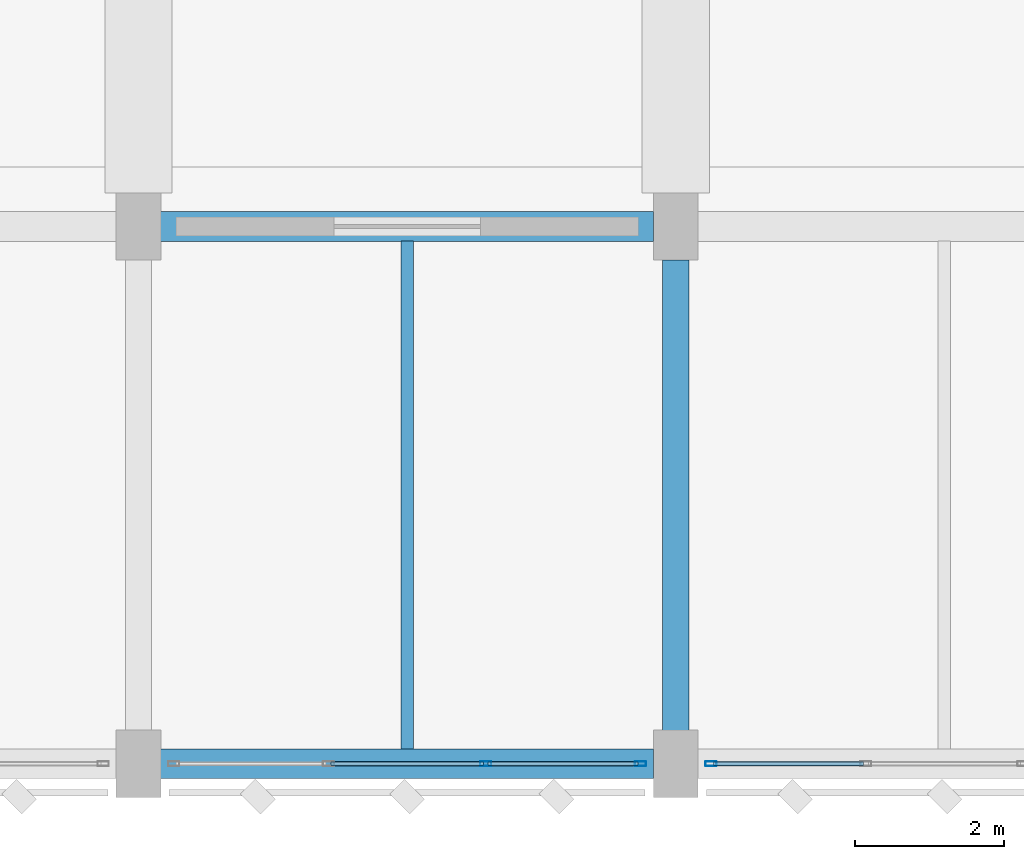
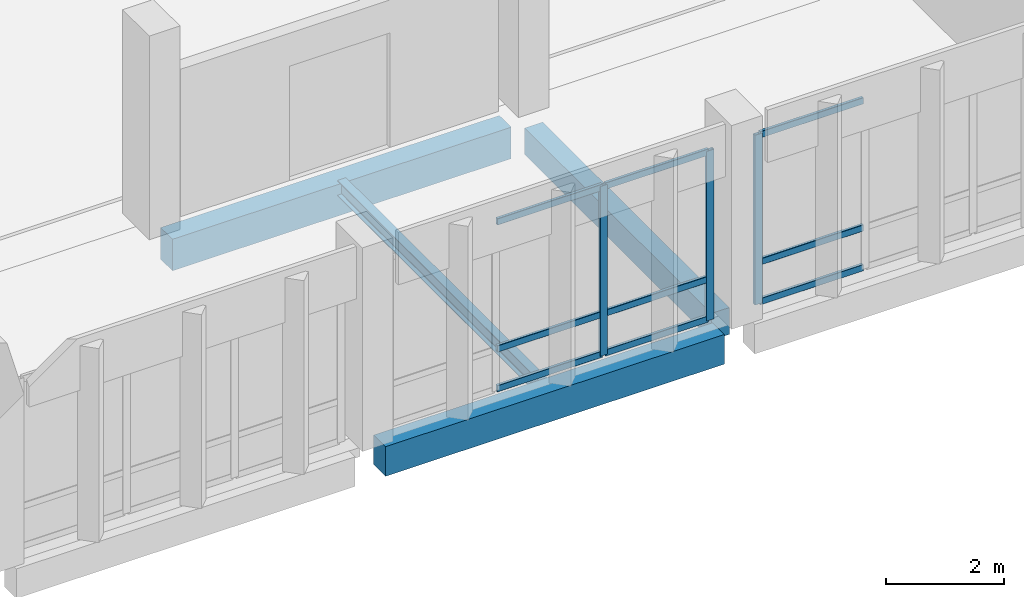
# One storey, part 76 of 158: 12 members, 4 beams, 2 elements without a shape of their own.
"""IFC4 building model written with IfcOpenShell, lengths in metres."""

from ifc_helpers import new_model, si_unit, direction, frame, origin, origin_2d, place, context, subcontext, project, spatial, rectangle, hollow_rectangle, i_section, extrude, material, material_profile, profile_set, type_object, element, aggregate, save


model = new_model("IFC4")

# Units and contexts
model_context = context("Model", 3, precision=1e-05, world=origin(), true_north=direction((0.0, 1.0)))
body_context = subcontext(model_context, "Body", "Model", "MODEL_VIEW")
ifc_project = project(units=[si_unit("LENGTHUNIT", "METRE"), si_unit("AREAUNIT", "SQUARE_METRE"), si_unit("VOLUMEUNIT", "CUBIC_METRE"), si_unit("PLANEANGLEUNIT", "RADIAN"), si_unit("MASSUNIT", "GRAM", prefix="KILO")], contexts=[model_context])

# Site, building, storey
site_placement = place(None, origin())
site = spatial("IfcSite", under=ifc_project, at=site_placement, CompositionType="ELEMENT")
building_placement = place(site_placement, origin())
building = spatial("IfcBuilding", under=site, at=building_placement, Name="Lusvemor Sports Hall", CompositionType="ELEMENT")
storey_placement = place(building_placement, frame((0.0, 0.0, 10.800048828125)))
storey = spatial("IfcBuildingStorey", under=building, at=storey_placement, Name="L02", CompositionType="ELEMENT", Elevation=10.800048828125)

# Beams
ifc_material_1 = material(Name="Concrete C40/50", Category="concrete")
ifc_material_profile_1 = material_profile(ifc_material_1, rectangle(XDim=0.35009765625, YDim=0.550048828125, at=origin_2d()), Name="RC350x550")
ifc_profile_set_1 = profile_set([ifc_material_profile_1], Name="Concrete C40/50")
beam_type_1 = type_object("IfcBeamType", Name="BEAM_RC_550", PredefinedType="BEAM", material=ifc_profile_set_1)
beam_1_placement = place(storey_placement, frame((154.800048828125, 0.446044921875, -0.53515625), z_axis=(0.0, 1.0, 0.0), x_axis=(-1.0, 0.0, 0.0)))
element("IfcBeam", 1, at=beam_1_placement, inside=storey, type_object=beam_type_1, Name="Beam L02 18:A-B", PredefinedType="BEAM", context=body_context, shape_type="SweptSolid", body=[
    extrude(rectangle(XDim=0.35009765625, YDim=0.550048828125, at=origin_2d()), origin(), (0.0, 0.0, 1.0), 6.307861328125),
])
ifc_material_2 = material(Name="Concrete C40/50", Category="concrete")
ifc_material_profile_2 = material_profile(ifc_material_2, rectangle(XDim=0.39990234375, YDim=0.64990234375, at=origin_2d()), Name="RC400x650")
ifc_profile_set_2 = profile_set([ifc_material_profile_2], Name="Concrete C40/50")
beam_type_2 = type_object("IfcBeamType", Name="BEAM_RC_650", PredefinedType="BEAM", material=ifc_profile_set_2)
beam_2_placement = place(storey_placement, frame((147.89599609375, 7.199951171875, -0.675048828125), z_axis=(1.0, 0.0, 0.0), x_axis=(0.0, 1.0, 0.0)))
element("IfcBeam", 2, at=beam_2_placement, inside=storey, type_object=beam_type_2, Name="Beam L02 B:17-18", PredefinedType="BEAM", context=body_context, shape_type="SweptSolid", body=[
    extrude(rectangle(XDim=0.39990234375, YDim=0.64990234375, at=origin_2d()), origin(), (0.0, 0.0, 1.0), 6.60791015625),
])

# Curtain wall, members
ifc_material_3 = material(Name="Thermally broken bronze-anodized aluminium", Category="aluminium")
curtain_wall_type = type_object("IfcCurtainWallType", Name="CW_COURT_C", PredefinedType="NOTDEFINED", material=ifc_material_3)
curtain_wall_1_placement = place(storey_placement, origin())
curtain_wall_1 = element("IfcCurtainWall", 3, at=curtain_wall_1_placement, inside=storey, type_object=curtain_wall_type, Name="Curtain Wall CW-V2S-L02-4", PredefinedType="NOTDEFINED")
ifc_material_4 = material(Name="Thermally broken bronze-anodized aluminium", Category="aluminium")
ifc_material_profile_3 = material_profile(ifc_material_4, hollow_rectangle(XDim=0.06494140625, YDim=0.14990234375, WallThickness=0.00390625, InnerFilletRadius=0.00390625, OuterFilletRadius=0.008056640625, at=origin_2d()), Name="CWMUL150x65x4")
ifc_profile_set_3 = profile_set([ifc_material_profile_3], Name="Thermally broken bronze-anodized aluminium")
member_type_1 = type_object("IfcMemberType", Name="CW_MUL_B", PredefinedType="MULLION", material=ifc_profile_set_3)
member_1_placement = place(storey_placement, frame((154.327392578125, 0.0, 0.0), z_axis=(0.0, 0.0, 1.0), x_axis=(0.0, -1.0, 0.0)))
member_1 = element("IfcMember", 4, at=member_1_placement, type_object=member_type_1, Name="CW03 mullion 1", PredefinedType="MULLION", context=body_context, shape_type="SweptSolid", body=[
    extrude(hollow_rectangle(XDim=0.06494140625, YDim=0.14990234375, WallThickness=0.00390625, InnerFilletRadius=0.00390625, OuterFilletRadius=0.008056640625, at=origin_2d()), origin(), (0.0, 0.0, 1.0), 3.5),
])
member_2_placement = place(storey_placement, frame((152.25341796875, 0.0, 0.0), z_axis=(0.0, 0.0, 1.0), x_axis=(0.0, -1.0, 0.0)))
member_2 = element("IfcMember", 5, at=member_2_placement, type_object=member_type_1, Name="CW03 mullion 2", PredefinedType="MULLION", context=body_context, shape_type="SweptSolid", body=[
    extrude(hollow_rectangle(XDim=0.06494140625, YDim=0.14990234375, WallThickness=0.00390625, InnerFilletRadius=0.00390625, OuterFilletRadius=0.008056640625, at=origin_2d()), origin(), (0.0, 0.0, 1.0), 3.5),
])

# Curtain wall, member
curtain_wall_2_placement = place(storey_placement, origin())
curtain_wall_2 = element("IfcCurtainWall", 6, at=curtain_wall_2_placement, inside=storey, type_object=curtain_wall_type, Name="Curtain Wall CW-V2S-L02-5", PredefinedType="NOTDEFINED")
member_3_placement = place(storey_placement, frame((155.2724609375, 0.0, 0.0), z_axis=(0.0, 0.0, 1.0), x_axis=(0.0, -1.0, 0.0)))
member_3 = element("IfcMember", 7, at=member_3_placement, type_object=member_type_1, Name="CW03 mullion 4", PredefinedType="MULLION", context=body_context, shape_type="SweptSolid", body=[
    extrude(hollow_rectangle(XDim=0.06494140625, YDim=0.14990234375, WallThickness=0.00390625, InnerFilletRadius=0.00390625, OuterFilletRadius=0.008056640625, at=origin_2d()), origin(), (0.0, 0.0, 1.0), 3.5),
])

# Member
ifc_material_5 = material(Name="Thermally broken bronze-anodized aluminium", Category="aluminium")
ifc_material_profile_4 = material_profile(ifc_material_5, hollow_rectangle(XDim=0.06005859375, YDim=0.135009765625, WallThickness=0.00390625, InnerFilletRadius=0.00390625, OuterFilletRadius=0.008056640625, at=origin_2d()), Name="CWTRN135x60x4")
ifc_profile_set_4 = profile_set([ifc_material_profile_4], Name="Thermally broken bronze-anodized aluminium")
member_type_2 = type_object("IfcMemberType", Name="CW_TRN_B", PredefinedType="USERDEFINED", material=ifc_profile_set_4)
member_4_placement = place(storey_placement, frame((154.294921875, 0.0, 0.030029296875), z_axis=(-1.0, 0.0, 0.0), x_axis=(0.0, -1.0, 0.0)))
member_4 = element("IfcMember", 8, at=member_4_placement, type_object=member_type_2, Name="CW03 transom 1.1", ObjectType="TRANSOM", PredefinedType="USERDEFINED", context=body_context, shape_type="SweptSolid", body=[
    extrude(hollow_rectangle(XDim=0.06005859375, YDim=0.135009765625, WallThickness=0.00390625, InnerFilletRadius=0.00390625, OuterFilletRadius=0.008056640625, at=origin_2d()), origin(), (0.0, 0.0, 1.0), 2.009033203125),
])

member_5_placement = place(storey_placement, frame((154.294921875, 0.0, 0.849853515625), z_axis=(-1.0, 0.0, 0.0), x_axis=(0.0, -1.0, 0.0)))
member_5 = element("IfcMember", 9, at=member_5_placement, type_object=member_type_2, Name="CW03 transom 1.2", ObjectType="TRANSOM", PredefinedType="USERDEFINED", context=body_context, shape_type="SweptSolid", body=[
    extrude(hollow_rectangle(XDim=0.06005859375, YDim=0.135009765625, WallThickness=0.00390625, InnerFilletRadius=0.00390625, OuterFilletRadius=0.008056640625, at=origin_2d()), origin(), (0.0, 0.0, 1.0), 2.009033203125),
])

member_6_placement = place(storey_placement, frame((154.294921875, 0.0, 3.469970703125), z_axis=(-1.0, 0.0, 0.0), x_axis=(0.0, -1.0, 0.0)))
member_6 = element("IfcMember", 10, at=member_6_placement, type_object=member_type_2, Name="CW03 transom 1.3", ObjectType="TRANSOM", PredefinedType="USERDEFINED", context=body_context, shape_type="SweptSolid", body=[
    extrude(hollow_rectangle(XDim=0.06005859375, YDim=0.135009765625, WallThickness=0.00390625, InnerFilletRadius=0.00390625, OuterFilletRadius=0.008056640625, at=origin_2d()), origin(), (0.0, 0.0, 1.0), 2.009033203125),
])

member_7_placement = place(storey_placement, frame((152.220947265625, 0.0, 0.030029296875), z_axis=(-1.0, 0.0, 0.0), x_axis=(0.0, -1.0, 0.0)))
member_7 = element("IfcMember", 11, at=member_7_placement, type_object=member_type_2, Name="CW03 transom 2.1", ObjectType="TRANSOM", PredefinedType="USERDEFINED", context=body_context, shape_type="SweptSolid", body=[
    extrude(hollow_rectangle(XDim=0.06005859375, YDim=0.135009765625, WallThickness=0.00390625, InnerFilletRadius=0.00390625, OuterFilletRadius=0.008056640625, at=origin_2d()), origin(), (0.0, 0.0, 1.0), 2.041748046875),
])

member_8_placement = place(storey_placement, frame((152.220947265625, 0.0, 0.849853515625), z_axis=(-1.0, 0.0, 0.0), x_axis=(0.0, -1.0, 0.0)))
member_8 = element("IfcMember", 12, at=member_8_placement, type_object=member_type_2, Name="CW03 transom 2.2", ObjectType="TRANSOM", PredefinedType="USERDEFINED", context=body_context, shape_type="SweptSolid", body=[
    extrude(hollow_rectangle(XDim=0.06005859375, YDim=0.135009765625, WallThickness=0.00390625, InnerFilletRadius=0.00390625, OuterFilletRadius=0.008056640625, at=origin_2d()), origin(), (0.0, 0.0, 1.0), 2.041748046875),
])

member_9_placement = place(storey_placement, frame((152.220947265625, 0.0, 3.469970703125), z_axis=(-1.0, 0.0, 0.0), x_axis=(0.0, -1.0, 0.0)))
member_9 = element("IfcMember", 13, at=member_9_placement, type_object=member_type_2, Name="CW03 transom 2.3", ObjectType="TRANSOM", PredefinedType="USERDEFINED", context=body_context, shape_type="SweptSolid", body=[
    extrude(hollow_rectangle(XDim=0.06005859375, YDim=0.135009765625, WallThickness=0.00390625, InnerFilletRadius=0.00390625, OuterFilletRadius=0.008056640625, at=origin_2d()), origin(), (0.0, 0.0, 1.0), 2.041748046875),
])

aggregate(curtain_wall_1, [member_1, member_2, member_4, member_5, member_6, member_7, member_8, member_9])

member_10_placement = place(storey_placement, frame((157.314208984375, 0.0, 0.030029296875), z_axis=(-1.0, 0.0, 0.0), x_axis=(0.0, -1.0, 0.0)))
member_10 = element("IfcMember", 14, at=member_10_placement, type_object=member_type_2, Name="CW03 transom 3.1", ObjectType="TRANSOM", PredefinedType="USERDEFINED", context=body_context, shape_type="SweptSolid", body=[
    extrude(hollow_rectangle(XDim=0.06005859375, YDim=0.135009765625, WallThickness=0.00390625, InnerFilletRadius=0.00390625, OuterFilletRadius=0.008056640625, at=origin_2d()), origin(), (0.0, 0.0, 1.0), 2.00927734375),
])

member_11_placement = place(storey_placement, frame((157.314208984375, 0.0, 0.849853515625), z_axis=(-1.0, 0.0, 0.0), x_axis=(0.0, -1.0, 0.0)))
member_11 = element("IfcMember", 15, at=member_11_placement, type_object=member_type_2, Name="CW03 transom 3.2", ObjectType="TRANSOM", PredefinedType="USERDEFINED", context=body_context, shape_type="SweptSolid", body=[
    extrude(hollow_rectangle(XDim=0.06005859375, YDim=0.135009765625, WallThickness=0.00390625, InnerFilletRadius=0.00390625, OuterFilletRadius=0.008056640625, at=origin_2d()), origin(), (0.0, 0.0, 1.0), 2.00927734375),
])

member_12_placement = place(storey_placement, frame((157.314208984375, 0.0, 3.469970703125), z_axis=(-1.0, 0.0, 0.0), x_axis=(0.0, -1.0, 0.0)))
member_12 = element("IfcMember", 16, at=member_12_placement, type_object=member_type_2, Name="CW03 transom 3.3", ObjectType="TRANSOM", PredefinedType="USERDEFINED", context=body_context, shape_type="SweptSolid", body=[
    extrude(hollow_rectangle(XDim=0.06005859375, YDim=0.135009765625, WallThickness=0.00390625, InnerFilletRadius=0.00390625, OuterFilletRadius=0.008056640625, at=origin_2d()), origin(), (0.0, 0.0, 1.0), 2.00927734375),
])

aggregate(curtain_wall_2, [member_3, member_10, member_11, member_12])

# Beams
ifc_material_6 = material(Name="Steel S355", Category="steel")
ifc_material_profile_5 = material_profile(ifc_material_6, i_section(OverallWidth=0.1669921875, OverallDepth=0.31689453125, WebThickness=0.007568359375, FlangeThickness=0.01318359375, FilletRadius=0.014892578125, at=origin_2d()), Name="W310x52.0")
ifc_profile_set_5 = profile_set([ifc_material_profile_5], Name="Steel S355")
beam_type_3 = type_object("IfcBeamType", Name="JOIST_ST_310M", PredefinedType="JOIST", material=ifc_profile_set_5)
beam_3_placement = place(storey_placement, frame((151.199951171875, 0.196044921875, -0.422607421875), z_axis=(0.0, 1.0, 0.0), x_axis=(-1.0, 0.0, 0.0)))
element("IfcBeam", 17, at=beam_3_placement, inside=storey, type_object=beam_type_3, Name="Secondary Joist L02 17-18/A-B #1", PredefinedType="JOIST", context=body_context, shape_type="SweptSolid", body=[
    extrude(i_section(OverallWidth=0.1669921875, OverallDepth=0.31689453125, WebThickness=0.007568359375, FlangeThickness=0.01318359375, FilletRadius=0.014892578125, at=origin_2d()), origin(), (0.0, 0.0, 1.0), 6.807861328125),
])
ifc_material_7 = material(Name="Concrete C40/50", Category="concrete")
ifc_material_profile_6 = material_profile(ifc_material_7, rectangle(XDim=0.39990234375, YDim=0.610107421875, at=origin_2d()), Name="RC400x610")
ifc_profile_set_6 = profile_set([ifc_material_profile_6], Name="Concrete C40/50")
beam_type_4 = type_object("IfcBeamType", Name="SPAND_EXT_650", PredefinedType="SPANDREL", material=ifc_profile_set_6)
beam_4_placement = place(storey_placement, frame((147.89599609375, 0.0, -0.56494140625), z_axis=(1.0, 0.0, 0.0), x_axis=(0.0, 1.0, 0.0)))
element("IfcBeam", 18, at=beam_4_placement, inside=storey, type_object=beam_type_4, Name="Beam L02 A:17-18", PredefinedType="SPANDREL", context=body_context, shape_type="SweptSolid", body=[
    extrude(rectangle(XDim=0.39990234375, YDim=0.610107421875, at=origin_2d()), origin(), (0.0, 0.0, 1.0), 6.60791015625),
])

save(model, "model.ifc")
